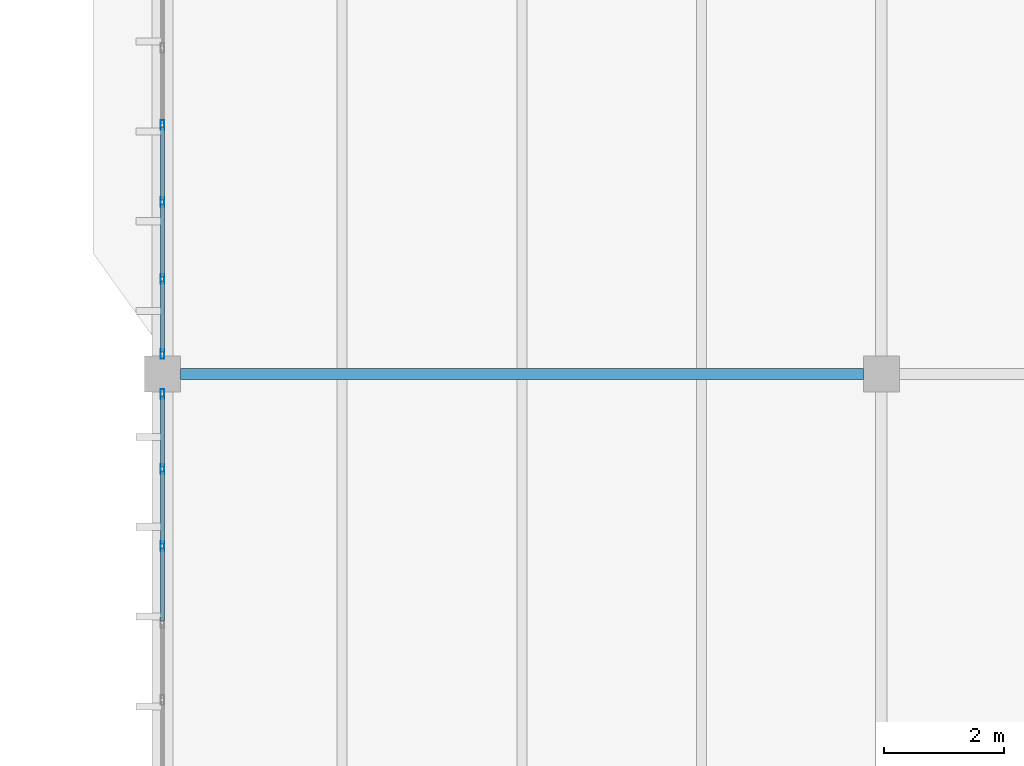
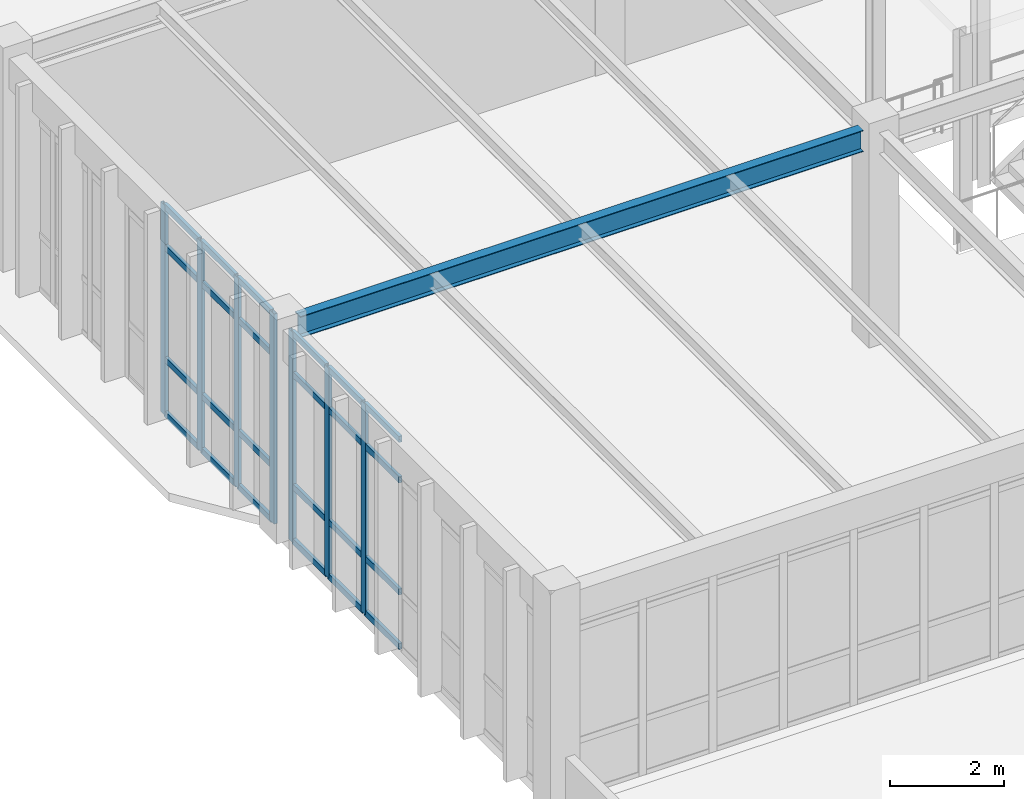
# One storey, part 117 of 236: 31 members, 1 beam, 2 elements without a shape of their own.
"""IFC4 building model written with IfcOpenShell, lengths in metres."""

from ifc_helpers import new_model, si_unit, direction, frame, origin, origin_2d, place, context, subcontext, project, spatial, hollow_rectangle, i_section, extrude, material, layer, layer_set, material_profile, profile_set, type_object, element, aggregate, save


model = new_model("IFC4")

# Units and contexts
model_context = context("Model", 3, precision=1e-05, world=origin(), true_north=direction((0.0, 1.0)))
body_context = subcontext(model_context, "Body", "Model", "MODEL_VIEW")
ifc_project = project(units=[si_unit("LENGTHUNIT", "METRE"), si_unit("AREAUNIT", "SQUARE_METRE"), si_unit("VOLUMEUNIT", "CUBIC_METRE"), si_unit("PLANEANGLEUNIT", "RADIAN"), si_unit("MASSUNIT", "GRAM", prefix="KILO")], contexts=[model_context])

# Site, building, storey
site_placement = place(None, origin())
site = spatial("IfcSite", under=ifc_project, at=site_placement, CompositionType="ELEMENT")
building_placement = place(site_placement, origin())
building = spatial("IfcBuilding", under=site, at=building_placement, Name="Pandanus Reach Market Hall", CompositionType="ELEMENT")
storey_placement = place(building_placement, frame((0.0, 0.0, 5.39990234375)))
storey = spatial("IfcBuildingStorey", under=building, at=storey_placement, Name="L01", CompositionType="ELEMENT", Elevation=5.39990234375)

# Beam
ifc_material_1 = material(Name="Steel Grade 350 (350 MPa)", Category="steel")
ifc_material_profile_1 = material_profile(ifc_material_1, i_section(OverallWidth=0.18994140625, OverallDepth=0.45703125, WebThickness=0.009033203125, FlangeThickness=0.014404296875, at=origin_2d()), Name="460UB74.6", Category="LoadBearing")
ifc_profile_set_1 = profile_set([ifc_material_profile_1], Name="Steel Grade 350 (350 MPa)")
beam_type = type_object("IfcBeamType", Name="BM-UB460-I", PredefinedType="BEAM", material=ifc_profile_set_1)
beam_placement = place(storey_placement, frame((144.298095703125, 19.199951171875, 4.311279296875), z_axis=(1.0, 0.0, 0.0), x_axis=(0.0, 1.0, 0.0)))
element("IfcBeam", 1, at=beam_placement, inside=storey, type_object=beam_type, Name="Framing beam BM-UB460-I L01.309", PredefinedType="BEAM", context=body_context, shape_type="SweptSolid", body=[
    extrude(i_section(OverallWidth=0.18994140625, OverallDepth=0.45703125, WebThickness=0.009033203125, FlangeThickness=0.014404296875, at=origin_2d()), origin(), (0.0, 0.0, 1.0), 11.40380859375),
])

# Curtain wall, members
ifc_material_2 = material(Name="Bronze anodised aluminium and low-E glass", Category="aluminium")
ifc_layer = layer(ifc_material_2, 0.159912109375, Name="CW-29")
ifc_layer_set = layer_set([ifc_layer], Name="Bronze anodised aluminium and low-E glass")
curtain_wall_type = type_object("IfcCurtainWallType", Name="CW-29", PredefinedType="NOTDEFINED", material=ifc_layer_set)
curtain_wall_1_placement = place(storey_placement, origin())
curtain_wall_1 = element("IfcCurtainWall", 2, at=curtain_wall_1_placement, inside=storey, type_object=curtain_wall_type, Name="Glazed curtain wall CW-29 CW-0091", PredefinedType="NOTDEFINED")
ifc_material_3 = material(Name="Bronze anodised aluminium", Category="aluminium")
ifc_material_profile_2 = material_profile(ifc_material_3, hollow_rectangle(XDim=0.06494140625, YDim=0.159912109375, WallThickness=0.00390625, at=origin_2d()), Name="ALU65x160", Category="LoadBearing")
ifc_profile_set_2 = profile_set([ifc_material_profile_2], Name="Bronze anodised aluminium")
member_type_1 = type_object("IfcMemberType", Name="CW-M1", PredefinedType="MULLION", material=ifc_profile_set_2)
member_1_placement = place(storey_placement, frame((144.0, 16.32861328125, 0.0), z_axis=(0.0, 0.0, 1.0), x_axis=(-1.0, 0.0, 0.0)))
member_1 = element("IfcMember", 3, at=member_1_placement, type_object=member_type_1, Name="CW-29 mullion 6", PredefinedType="MULLION", context=body_context, shape_type="SweptSolid", body=[
    extrude(hollow_rectangle(XDim=0.06494140625, YDim=0.159912109375, WallThickness=0.00390625, at=origin_2d()), origin(), (0.0, 0.0, 1.0), 4.5),
])
member_2_placement = place(storey_placement, frame((144.0, 17.6142578125, 0.0), z_axis=(0.0, 0.0, 1.0), x_axis=(-1.0, 0.0, 0.0)))
member_2 = element("IfcMember", 4, at=member_2_placement, type_object=member_type_1, Name="CW-29 mullion 7", PredefinedType="MULLION", context=body_context, shape_type="SweptSolid", body=[
    extrude(hollow_rectangle(XDim=0.06494140625, YDim=0.159912109375, WallThickness=0.00390625, at=origin_2d()), origin(), (0.0, 0.0, 1.0), 4.5),
])
member_3_placement = place(storey_placement, frame((144.0, 18.867431640625, 0.0), z_axis=(0.0, 0.0, 1.0), x_axis=(-1.0, 0.0, 0.0)))
member_3 = element("IfcMember", 5, at=member_3_placement, type_object=member_type_1, Name="CW-29 mullion 8", PredefinedType="MULLION", context=body_context, shape_type="SweptSolid", body=[
    extrude(hollow_rectangle(XDim=0.06494140625, YDim=0.159912109375, WallThickness=0.00390625, at=origin_2d()), origin(), (0.0, 0.0, 1.0), 4.5),
])

curtain_wall_2_placement = place(storey_placement, origin())
curtain_wall_2 = element("IfcCurtainWall", 6, at=curtain_wall_2_placement, inside=storey, type_object=curtain_wall_type, Name="Glazed curtain wall CW-29 CW-0092", PredefinedType="NOTDEFINED")
member_4_placement = place(storey_placement, frame((144.0, 19.532470703125, 0.0), z_axis=(0.0, 0.0, 1.0), x_axis=(-1.0, 0.0, 0.0)))
member_4 = element("IfcMember", 7, at=member_4_placement, type_object=member_type_1, Name="CW-29 mullion 1", PredefinedType="MULLION", context=body_context, shape_type="SweptSolid", body=[
    extrude(hollow_rectangle(XDim=0.06494140625, YDim=0.159912109375, WallThickness=0.00390625, at=origin_2d()), origin(), (0.0, 0.0, 1.0), 4.5),
])
member_5_placement = place(storey_placement, frame((144.0, 20.78564453125, 0.0), z_axis=(0.0, 0.0, 1.0), x_axis=(-1.0, 0.0, 0.0)))
member_5 = element("IfcMember", 8, at=member_5_placement, type_object=member_type_1, Name="CW-29 mullion 2", PredefinedType="MULLION", context=body_context, shape_type="SweptSolid", body=[
    extrude(hollow_rectangle(XDim=0.06494140625, YDim=0.159912109375, WallThickness=0.00390625, at=origin_2d()), origin(), (0.0, 0.0, 1.0), 4.5),
])
member_6_placement = place(storey_placement, frame((144.0, 22.071533203125, 0.0), z_axis=(0.0, 0.0, 1.0), x_axis=(-1.0, 0.0, 0.0)))
member_6 = element("IfcMember", 9, at=member_6_placement, type_object=member_type_1, Name="CW-29 mullion 3", PredefinedType="MULLION", context=body_context, shape_type="SweptSolid", body=[
    extrude(hollow_rectangle(XDim=0.06494140625, YDim=0.159912109375, WallThickness=0.00390625, at=origin_2d()), origin(), (0.0, 0.0, 1.0), 4.5),
])
member_7_placement = place(storey_placement, frame((144.0, 23.357177734375, 0.0), z_axis=(0.0, 0.0, 1.0), x_axis=(-1.0, 0.0, 0.0)))
member_7 = element("IfcMember", 10, at=member_7_placement, type_object=member_type_1, Name="CW-29 mullion 4", PredefinedType="MULLION", context=body_context, shape_type="SweptSolid", body=[
    extrude(hollow_rectangle(XDim=0.06494140625, YDim=0.159912109375, WallThickness=0.00390625, at=origin_2d()), origin(), (0.0, 0.0, 1.0), 4.5),
])

# Member
ifc_material_profile_3 = material_profile(ifc_material_3, hollow_rectangle(XDim=0.06494140625, YDim=0.1298828125, WallThickness=0.00390625, at=origin_2d()), Name="ALU65x130", Category="LoadBearing")
ifc_profile_set_3 = profile_set([ifc_material_profile_3], Name="Bronze anodised aluminium")
member_type_2 = type_object("IfcMemberType", Name="CW-T1", PredefinedType="USERDEFINED", material=ifc_profile_set_3)
member_8_placement = place(storey_placement, frame((144.0, 15.075439453125, 0.03271484375), z_axis=(0.0, 1.0, 0.0), x_axis=(-1.0, 0.0, 0.0)))
member_8 = element("IfcMember", 11, at=member_8_placement, type_object=member_type_2, Name="CW-29 transom 5.1", ObjectType="TRANSOM", PredefinedType="USERDEFINED", context=body_context, shape_type="SweptSolid", body=[
    extrude(hollow_rectangle(XDim=0.06494140625, YDim=0.1298828125, WallThickness=0.00390625, at=origin_2d()), origin(), (0.0, 0.0, 1.0), 1.220703125),
])

member_9_placement = place(storey_placement, frame((144.0, 15.075439453125, 1.2001953125), z_axis=(0.0, 1.0, 0.0), x_axis=(-1.0, 0.0, 0.0)))
member_9 = element("IfcMember", 12, at=member_9_placement, type_object=member_type_2, Name="CW-29 transom 5.2", ObjectType="TRANSOM", PredefinedType="USERDEFINED", context=body_context, shape_type="SweptSolid", body=[
    extrude(hollow_rectangle(XDim=0.06494140625, YDim=0.1298828125, WallThickness=0.00390625, at=origin_2d()), origin(), (0.0, 0.0, 1.0), 1.220703125),
])

member_10_placement = place(storey_placement, frame((144.0, 15.075439453125, 3.60009765625), z_axis=(0.0, 1.0, 0.0), x_axis=(-1.0, 0.0, 0.0)))
member_10 = element("IfcMember", 13, at=member_10_placement, type_object=member_type_2, Name="CW-29 transom 5.3", ObjectType="TRANSOM", PredefinedType="USERDEFINED", context=body_context, shape_type="SweptSolid", body=[
    extrude(hollow_rectangle(XDim=0.06494140625, YDim=0.1298828125, WallThickness=0.00390625, at=origin_2d()), origin(), (0.0, 0.0, 1.0), 1.220703125),
])

member_11_placement = place(storey_placement, frame((144.0, 15.075439453125, 4.467529296875), z_axis=(0.0, 1.0, 0.0), x_axis=(-1.0, 0.0, 0.0)))
member_11 = element("IfcMember", 14, at=member_11_placement, type_object=member_type_2, Name="CW-29 transom 5.4", ObjectType="TRANSOM", PredefinedType="USERDEFINED", context=body_context, shape_type="SweptSolid", body=[
    extrude(hollow_rectangle(XDim=0.06494140625, YDim=0.1298828125, WallThickness=0.00390625, at=origin_2d()), origin(), (0.0, 0.0, 1.0), 1.220703125),
])

member_12_placement = place(storey_placement, frame((144.0, 16.361083984375, 0.03271484375), z_axis=(0.0, 1.0, 0.0), x_axis=(-1.0, 0.0, 0.0)))
member_12 = element("IfcMember", 15, at=member_12_placement, type_object=member_type_2, Name="CW-29 transom 6.1", ObjectType="TRANSOM", PredefinedType="USERDEFINED", context=body_context, shape_type="SweptSolid", body=[
    extrude(hollow_rectangle(XDim=0.06494140625, YDim=0.1298828125, WallThickness=0.00390625, at=origin_2d()), origin(), (0.0, 0.0, 1.0), 1.220703125),
])

member_13_placement = place(storey_placement, frame((144.0, 16.361083984375, 1.2001953125), z_axis=(0.0, 1.0, 0.0), x_axis=(-1.0, 0.0, 0.0)))
member_13 = element("IfcMember", 16, at=member_13_placement, type_object=member_type_2, Name="CW-29 transom 6.2", ObjectType="TRANSOM", PredefinedType="USERDEFINED", context=body_context, shape_type="SweptSolid", body=[
    extrude(hollow_rectangle(XDim=0.06494140625, YDim=0.1298828125, WallThickness=0.00390625, at=origin_2d()), origin(), (0.0, 0.0, 1.0), 1.220703125),
])

member_14_placement = place(storey_placement, frame((144.0, 16.361083984375, 3.60009765625), z_axis=(0.0, 1.0, 0.0), x_axis=(-1.0, 0.0, 0.0)))
member_14 = element("IfcMember", 17, at=member_14_placement, type_object=member_type_2, Name="CW-29 transom 6.3", ObjectType="TRANSOM", PredefinedType="USERDEFINED", context=body_context, shape_type="SweptSolid", body=[
    extrude(hollow_rectangle(XDim=0.06494140625, YDim=0.1298828125, WallThickness=0.00390625, at=origin_2d()), origin(), (0.0, 0.0, 1.0), 1.220703125),
])

member_15_placement = place(storey_placement, frame((144.0, 16.361083984375, 4.467529296875), z_axis=(0.0, 1.0, 0.0), x_axis=(-1.0, 0.0, 0.0)))
member_15 = element("IfcMember", 18, at=member_15_placement, type_object=member_type_2, Name="CW-29 transom 6.4", ObjectType="TRANSOM", PredefinedType="USERDEFINED", context=body_context, shape_type="SweptSolid", body=[
    extrude(hollow_rectangle(XDim=0.06494140625, YDim=0.1298828125, WallThickness=0.00390625, at=origin_2d()), origin(), (0.0, 0.0, 1.0), 1.220703125),
])

member_16_placement = place(storey_placement, frame((144.0, 17.646728515625, 0.03271484375), z_axis=(0.0, 1.0, 0.0), x_axis=(-1.0, 0.0, 0.0)))
member_16 = element("IfcMember", 19, at=member_16_placement, type_object=member_type_2, Name="CW-29 transom 7.1", ObjectType="TRANSOM", PredefinedType="USERDEFINED", context=body_context, shape_type="SweptSolid", body=[
    extrude(hollow_rectangle(XDim=0.06494140625, YDim=0.1298828125, WallThickness=0.00390625, at=origin_2d()), origin(), (0.0, 0.0, 1.0), 1.188232421875),
])

member_17_placement = place(storey_placement, frame((144.0, 17.646728515625, 1.2001953125), z_axis=(0.0, 1.0, 0.0), x_axis=(-1.0, 0.0, 0.0)))
member_17 = element("IfcMember", 20, at=member_17_placement, type_object=member_type_2, Name="CW-29 transom 7.2", ObjectType="TRANSOM", PredefinedType="USERDEFINED", context=body_context, shape_type="SweptSolid", body=[
    extrude(hollow_rectangle(XDim=0.06494140625, YDim=0.1298828125, WallThickness=0.00390625, at=origin_2d()), origin(), (0.0, 0.0, 1.0), 1.188232421875),
])

member_18_placement = place(storey_placement, frame((144.0, 17.646728515625, 3.60009765625), z_axis=(0.0, 1.0, 0.0), x_axis=(-1.0, 0.0, 0.0)))
member_18 = element("IfcMember", 21, at=member_18_placement, type_object=member_type_2, Name="CW-29 transom 7.3", ObjectType="TRANSOM", PredefinedType="USERDEFINED", context=body_context, shape_type="SweptSolid", body=[
    extrude(hollow_rectangle(XDim=0.06494140625, YDim=0.1298828125, WallThickness=0.00390625, at=origin_2d()), origin(), (0.0, 0.0, 1.0), 1.188232421875),
])

member_19_placement = place(storey_placement, frame((144.0, 17.646728515625, 4.467529296875), z_axis=(0.0, 1.0, 0.0), x_axis=(-1.0, 0.0, 0.0)))
member_19 = element("IfcMember", 22, at=member_19_placement, type_object=member_type_2, Name="CW-29 transom 7.4", ObjectType="TRANSOM", PredefinedType="USERDEFINED", context=body_context, shape_type="SweptSolid", body=[
    extrude(hollow_rectangle(XDim=0.06494140625, YDim=0.1298828125, WallThickness=0.00390625, at=origin_2d()), origin(), (0.0, 0.0, 1.0), 1.188232421875),
])

aggregate(curtain_wall_1, [member_1, member_2, member_3, member_8, member_9, member_10, member_11, member_12, member_13, member_14, member_15, member_16, member_17, member_18, member_19])

member_20_placement = place(storey_placement, frame((144.0, 19.56494140625, 0.03271484375), z_axis=(0.0, 1.0, 0.0), x_axis=(-1.0, 0.0, 0.0)))
member_20 = element("IfcMember", 23, at=member_20_placement, type_object=member_type_2, Name="CW-29 transom 1.1", ObjectType="TRANSOM", PredefinedType="USERDEFINED", context=body_context, shape_type="SweptSolid", body=[
    extrude(hollow_rectangle(XDim=0.06494140625, YDim=0.1298828125, WallThickness=0.00390625, at=origin_2d()), origin(), (0.0, 0.0, 1.0), 1.188232421875),
])

member_21_placement = place(storey_placement, frame((144.0, 19.56494140625, 1.2001953125), z_axis=(0.0, 1.0, 0.0), x_axis=(-1.0, 0.0, 0.0)))
member_21 = element("IfcMember", 24, at=member_21_placement, type_object=member_type_2, Name="CW-29 transom 1.2", ObjectType="TRANSOM", PredefinedType="USERDEFINED", context=body_context, shape_type="SweptSolid", body=[
    extrude(hollow_rectangle(XDim=0.06494140625, YDim=0.1298828125, WallThickness=0.00390625, at=origin_2d()), origin(), (0.0, 0.0, 1.0), 1.188232421875),
])

member_22_placement = place(storey_placement, frame((144.0, 19.56494140625, 3.60009765625), z_axis=(0.0, 1.0, 0.0), x_axis=(-1.0, 0.0, 0.0)))
member_22 = element("IfcMember", 25, at=member_22_placement, type_object=member_type_2, Name="CW-29 transom 1.3", ObjectType="TRANSOM", PredefinedType="USERDEFINED", context=body_context, shape_type="SweptSolid", body=[
    extrude(hollow_rectangle(XDim=0.06494140625, YDim=0.1298828125, WallThickness=0.00390625, at=origin_2d()), origin(), (0.0, 0.0, 1.0), 1.188232421875),
])

member_23_placement = place(storey_placement, frame((144.0, 19.56494140625, 4.467529296875), z_axis=(0.0, 1.0, 0.0), x_axis=(-1.0, 0.0, 0.0)))
member_23 = element("IfcMember", 26, at=member_23_placement, type_object=member_type_2, Name="CW-29 transom 1.4", ObjectType="TRANSOM", PredefinedType="USERDEFINED", context=body_context, shape_type="SweptSolid", body=[
    extrude(hollow_rectangle(XDim=0.06494140625, YDim=0.1298828125, WallThickness=0.00390625, at=origin_2d()), origin(), (0.0, 0.0, 1.0), 1.188232421875),
])

member_24_placement = place(storey_placement, frame((144.0, 20.818115234375, 0.03271484375), z_axis=(0.0, 1.0, 0.0), x_axis=(-1.0, 0.0, 0.0)))
member_24 = element("IfcMember", 27, at=member_24_placement, type_object=member_type_2, Name="CW-29 transom 2.1", ObjectType="TRANSOM", PredefinedType="USERDEFINED", context=body_context, shape_type="SweptSolid", body=[
    extrude(hollow_rectangle(XDim=0.06494140625, YDim=0.1298828125, WallThickness=0.00390625, at=origin_2d()), origin(), (0.0, 0.0, 1.0), 1.220703125),
])

member_25_placement = place(storey_placement, frame((144.0, 20.818115234375, 1.2001953125), z_axis=(0.0, 1.0, 0.0), x_axis=(-1.0, 0.0, 0.0)))
member_25 = element("IfcMember", 28, at=member_25_placement, type_object=member_type_2, Name="CW-29 transom 2.2", ObjectType="TRANSOM", PredefinedType="USERDEFINED", context=body_context, shape_type="SweptSolid", body=[
    extrude(hollow_rectangle(XDim=0.06494140625, YDim=0.1298828125, WallThickness=0.00390625, at=origin_2d()), origin(), (0.0, 0.0, 1.0), 1.220703125),
])

member_26_placement = place(storey_placement, frame((144.0, 20.818115234375, 3.60009765625), z_axis=(0.0, 1.0, 0.0), x_axis=(-1.0, 0.0, 0.0)))
member_26 = element("IfcMember", 29, at=member_26_placement, type_object=member_type_2, Name="CW-29 transom 2.3", ObjectType="TRANSOM", PredefinedType="USERDEFINED", context=body_context, shape_type="SweptSolid", body=[
    extrude(hollow_rectangle(XDim=0.06494140625, YDim=0.1298828125, WallThickness=0.00390625, at=origin_2d()), origin(), (0.0, 0.0, 1.0), 1.220703125),
])

member_27_placement = place(storey_placement, frame((144.0, 20.818115234375, 4.467529296875), z_axis=(0.0, 1.0, 0.0), x_axis=(-1.0, 0.0, 0.0)))
member_27 = element("IfcMember", 30, at=member_27_placement, type_object=member_type_2, Name="CW-29 transom 2.4", ObjectType="TRANSOM", PredefinedType="USERDEFINED", context=body_context, shape_type="SweptSolid", body=[
    extrude(hollow_rectangle(XDim=0.06494140625, YDim=0.1298828125, WallThickness=0.00390625, at=origin_2d()), origin(), (0.0, 0.0, 1.0), 1.220703125),
])

member_28_placement = place(storey_placement, frame((144.0, 22.10400390625, 0.03271484375), z_axis=(0.0, 1.0, 0.0), x_axis=(-1.0, 0.0, 0.0)))
member_28 = element("IfcMember", 31, at=member_28_placement, type_object=member_type_2, Name="CW-29 transom 3.1", ObjectType="TRANSOM", PredefinedType="USERDEFINED", context=body_context, shape_type="SweptSolid", body=[
    extrude(hollow_rectangle(XDim=0.06494140625, YDim=0.1298828125, WallThickness=0.00390625, at=origin_2d()), origin(), (0.0, 0.0, 1.0), 1.220703125),
])

member_29_placement = place(storey_placement, frame((144.0, 22.10400390625, 1.2001953125), z_axis=(0.0, 1.0, 0.0), x_axis=(-1.0, 0.0, 0.0)))
member_29 = element("IfcMember", 32, at=member_29_placement, type_object=member_type_2, Name="CW-29 transom 3.2", ObjectType="TRANSOM", PredefinedType="USERDEFINED", context=body_context, shape_type="SweptSolid", body=[
    extrude(hollow_rectangle(XDim=0.06494140625, YDim=0.1298828125, WallThickness=0.00390625, at=origin_2d()), origin(), (0.0, 0.0, 1.0), 1.220703125),
])

member_30_placement = place(storey_placement, frame((144.0, 22.10400390625, 3.60009765625), z_axis=(0.0, 1.0, 0.0), x_axis=(-1.0, 0.0, 0.0)))
member_30 = element("IfcMember", 33, at=member_30_placement, type_object=member_type_2, Name="CW-29 transom 3.3", ObjectType="TRANSOM", PredefinedType="USERDEFINED", context=body_context, shape_type="SweptSolid", body=[
    extrude(hollow_rectangle(XDim=0.06494140625, YDim=0.1298828125, WallThickness=0.00390625, at=origin_2d()), origin(), (0.0, 0.0, 1.0), 1.220703125),
])

member_31_placement = place(storey_placement, frame((144.0, 22.10400390625, 4.467529296875), z_axis=(0.0, 1.0, 0.0), x_axis=(-1.0, 0.0, 0.0)))
member_31 = element("IfcMember", 34, at=member_31_placement, type_object=member_type_2, Name="CW-29 transom 3.4", ObjectType="TRANSOM", PredefinedType="USERDEFINED", context=body_context, shape_type="SweptSolid", body=[
    extrude(hollow_rectangle(XDim=0.06494140625, YDim=0.1298828125, WallThickness=0.00390625, at=origin_2d()), origin(), (0.0, 0.0, 1.0), 1.220703125),
])

aggregate(curtain_wall_2, [member_4, member_5, member_6, member_7, member_20, member_21, member_22, member_23, member_24, member_25, member_26, member_27, member_28, member_29, member_30, member_31])

save(model, "model.ifc")
